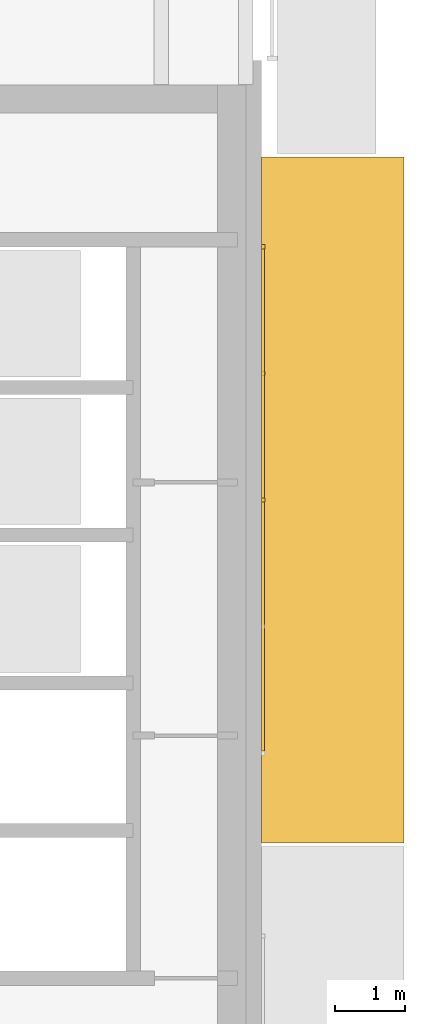
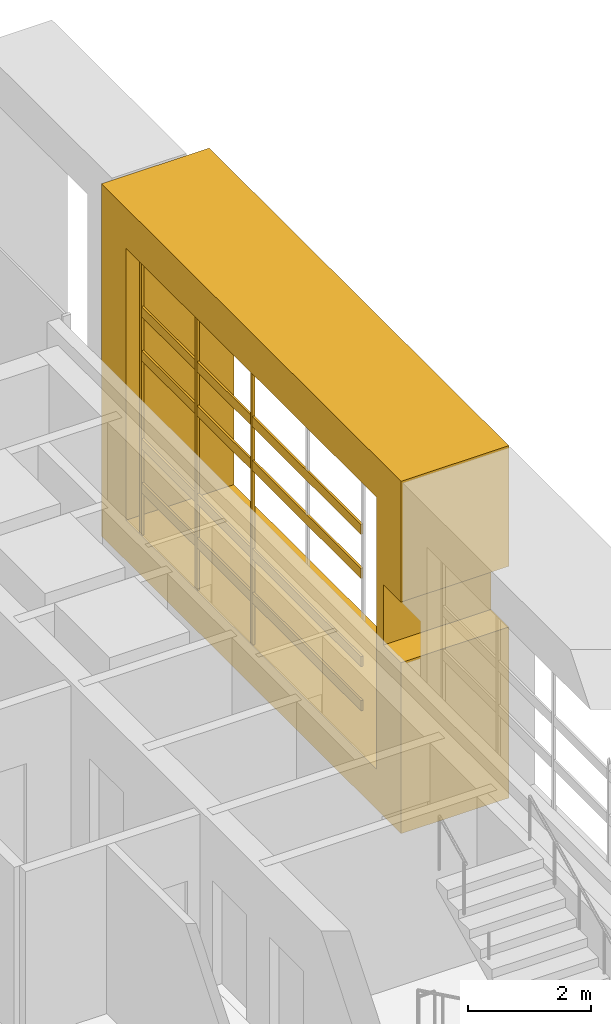
# One storey, part 19 of 21: 12 coverings.
"""IFC4 building model written with IfcOpenShell, lengths in metres."""

from ifc_helpers import new_model, si_unit, direction, frame, origin, origin_2d, place, context, subcontext, project, spatial, polyline, rectangle, outline, extrude, material, type_object, element, save


model = new_model("IFC4")

# Units and contexts
model_context = context("Model", 3, precision=1e-05, world=origin(), true_north=direction((0.0, 1.0)))
body_context = subcontext(model_context, "Body", "Model", "MODEL_VIEW")
ifc_project = project(units=[si_unit("LENGTHUNIT", "METRE"), si_unit("AREAUNIT", "SQUARE_METRE"), si_unit("VOLUMEUNIT", "CUBIC_METRE"), si_unit("PLANEANGLEUNIT", "RADIAN"), si_unit("MASSUNIT", "GRAM", prefix="KILO")], contexts=[model_context])

# Site, building, storey
site_placement = place(None, origin())
site = spatial("IfcSite", under=ifc_project, at=site_placement, CompositionType="ELEMENT")
building_placement = place(site_placement, origin())
building = spatial("IfcBuilding", under=site, at=building_placement, Name="Cobrizo Arcos Hotel Tower", CompositionType="ELEMENT")
storey_placement = place(building_placement, frame((0.0, 0.0, 283.0)))
storey = spatial("IfcBuildingStorey", under=building, at=storey_placement, Name="L75", CompositionType="ELEMENT", Elevation=283.0)

# Coverings
ifc_material_1 = material(Name="Aluminium 6063-T6 anodised bronze", Category="aluminium")
covering_type_1 = type_object("IfcCoveringType", Name="FIN-F 2025", PredefinedType="CLADDING", material=ifc_material_1)
covering_placement = place(storey_placement, frame((20.625, 0.02490234375, 0.0), z_axis=(1.0, 0.0, 0.0), x_axis=(0.0, 1.0, 0.0)))
element("IfcCovering", 1, at=covering_placement, inside=storey, type_object=covering_type_1, Name="Fin frame 405", PredefinedType="CLADDING", context=body_context, shape_type="SweptSolid", body=[
    extrude(outline(polyline([(0.0, 7.0), (0.0, 4.60205078125), (0.576904296875, 4.60205078125), (0.576904296875, 3.39794921875), (0.0, 3.39794921875), (0.0, 0.0), (9.75, 0.0), (9.75, 7.0), (0.0, 7.0)]), holes=[polyline([(8.949951171875, 0.800048828125), (0.800048828125, 0.800048828125), (0.800048828125, 6.199951171875), (8.949951171875, 6.199951171875), (8.949951171875, 0.800048828125)])]), origin(), (0.0, 0.0, 1.0), 2.02490234375),
])
ifc_material_2 = material(Name="Aluminium 6063-T6 anodised pale", Category="aluminium")
covering_type_2 = type_object("IfcCoveringType", Name="RS-2 rainscreen rib 60x50", PredefinedType="CLADDING", material=ifc_material_2)
for number, where, z_axis, x_axis, name in (
    (2, (20.64990234375, 4.89990234375, 0.800048828125), (0.0, 0.0, 1.0), (0.0, 1.0, 0.0), "Rainscreen rib 308"),
    (3, (20.64990234375, 6.699951171875, 0.800048828125), (0.0, 0.0, 1.0), (0.0, 1.0, 0.0), "Rainscreen rib 309"),
    (4, (20.64990234375, 8.5, 0.800048828125), (0.0, 0.0, 1.0), (0.0, 1.0, 0.0), "Rainscreen rib 310"),
):
    element("IfcCovering", number, at=place(storey_placement, frame(where, z_axis=z_axis, x_axis=x_axis)), inside=storey, type_object=covering_type_2, Name=name, PredefinedType="CLADDING", context=body_context, shape_type="SweptSolid", body=[
        extrude(rectangle(XDim=0.06005859375, YDim=0.050048828125, at=origin_2d()), origin(), (0.0, 0.0, 1.0), 5.39990234375),
    ])
covering_type_3 = type_object("IfcCoveringType", Name="RS-3 rainscreen louvre slat 200x40", PredefinedType="CLADDING", material=ifc_material_2)
for number, where, z_axis, x_axis, name in (
    (5, (20.64501953125, 3.10009765625, 1.64990234375), (0.0, 0.0, 1.0), (0.0, 1.0, 0.0), "Rainscreen slat 157"),
    (6, (20.64501953125, 3.10009765625, 2.52490234375), (0.0, 0.0, 1.0), (0.0, 1.0, 0.0), "Rainscreen slat 158"),
    (7, (20.64501953125, 6.699951171875, 1.64990234375), (0.0, 0.0, 1.0), (0.0, 1.0, 0.0), "Rainscreen slat 159"),
    (8, (20.64501953125, 6.699951171875, 2.52490234375), (0.0, 0.0, 1.0), (0.0, 1.0, 0.0), "Rainscreen slat 160"),
    (9, (20.64501953125, 3.10009765625, 4.27490234375), (0.0, 0.0, 1.0), (0.0, 1.0, 0.0), "Rainscreen slat 161"),
    (10, (20.64501953125, 3.10009765625, 5.14990234375), (0.0, 0.0, 1.0), (0.0, 1.0, 0.0), "Rainscreen slat 162"),
    (11, (20.64501953125, 6.699951171875, 4.27490234375), (0.0, 0.0, 1.0), (0.0, 1.0, 0.0), "Rainscreen slat 163"),
    (12, (20.64501953125, 6.699951171875, 5.14990234375), (0.0, 0.0, 1.0), (0.0, 1.0, 0.0), "Rainscreen slat 164"),
):
    element("IfcCovering", number, at=place(storey_placement, frame(where, z_axis=z_axis, x_axis=x_axis)), inside=storey, type_object=covering_type_3, Name=name, PredefinedType="CLADDING", context=body_context, shape_type="SweptSolid", body=[
        extrude(rectangle(XDim=3.5400390625, YDim=0.0400390625, at=origin_2d()), origin(), (0.0, 0.0, 1.0), 0.199951171875),
    ])

save(model, "model.ifc")
